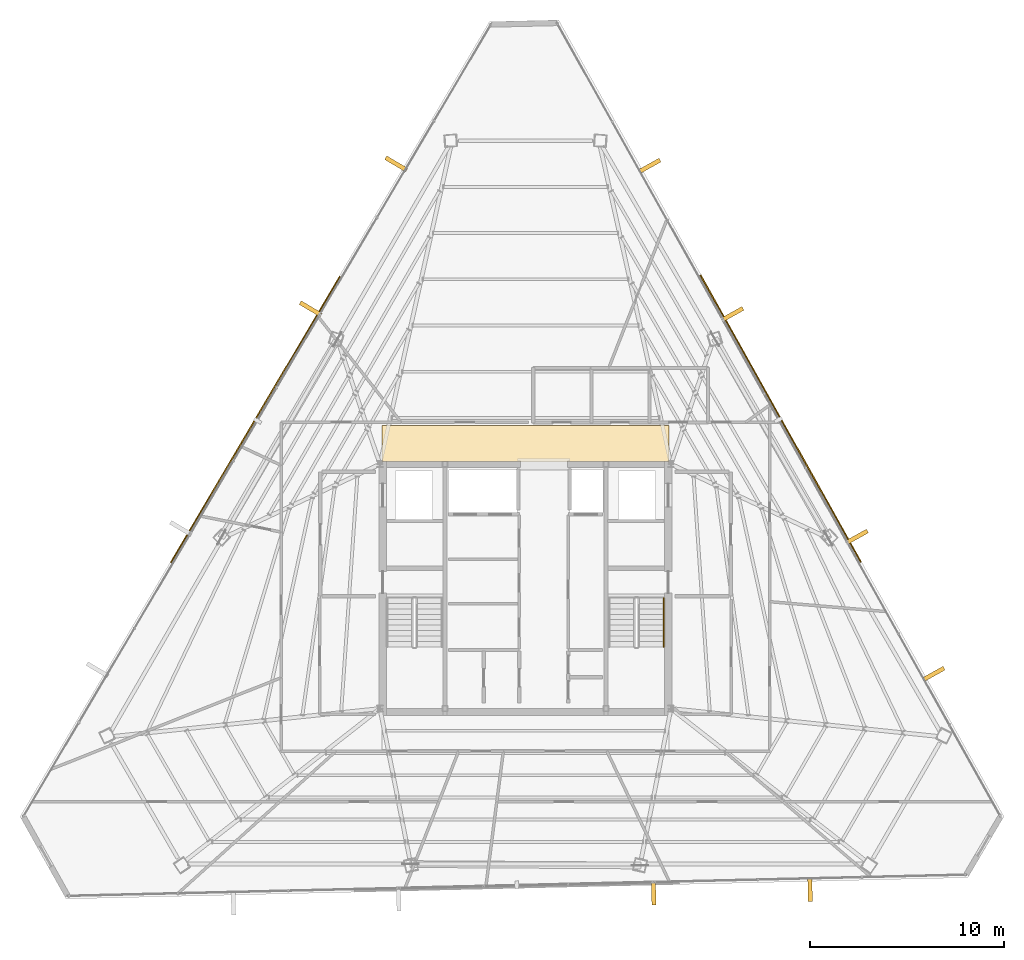
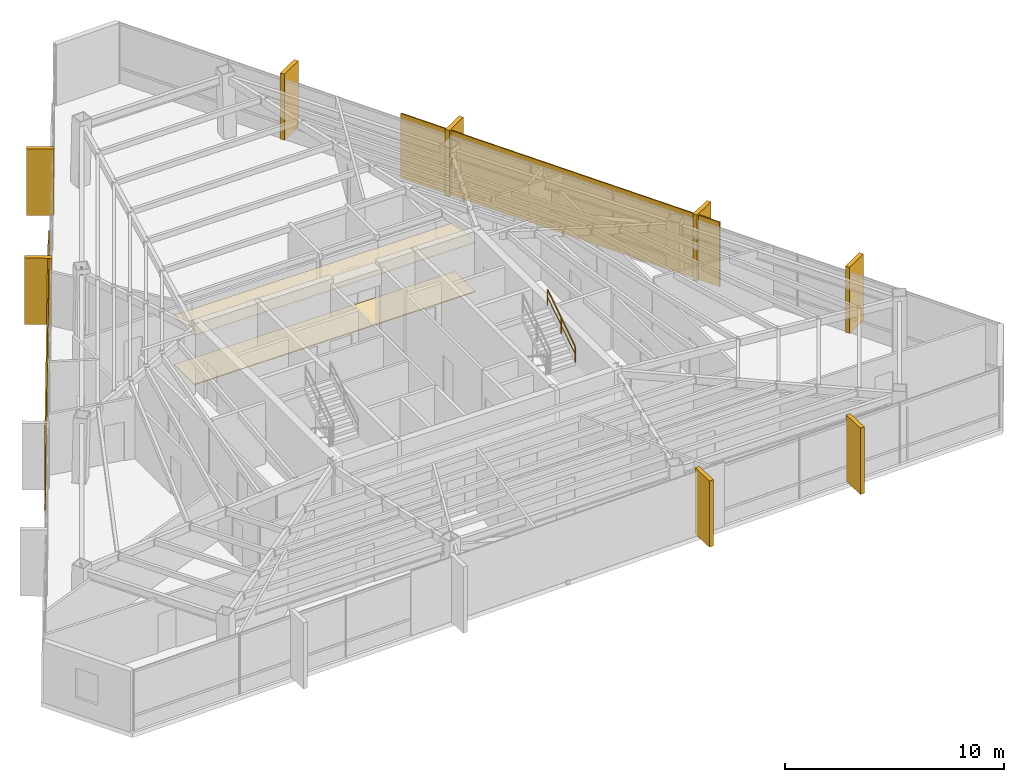
# One storey, part 47 of 47: 10 coverings, 2 shading devices, 1 railing.
"""IFC4 building model written with IfcOpenShell, lengths in metres."""

from ifc_helpers import new_model, si_unit, direction, frame, origin, origin_2d, place, context, subcontext, project, spatial, polyline, rectangle, outline, extrude, source, transform, mapped, material, layer, layer_set, type_object, type_shapes, element, save


model = new_model("IFC4")

# Units and contexts
model_context = context("Model", 3, precision=1e-05, world=origin(), true_north=direction((0.0, 1.0)))
body_context = subcontext(model_context, "Body", "Model", "MODEL_VIEW")
ifc_project = project(units=[si_unit("LENGTHUNIT", "METRE"), si_unit("AREAUNIT", "SQUARE_METRE"), si_unit("VOLUMEUNIT", "CUBIC_METRE"), si_unit("PLANEANGLEUNIT", "RADIAN"), si_unit("MASSUNIT", "GRAM", prefix="KILO")], contexts=[model_context])

# Site, building, storey
site_placement = place(None, origin())
site = spatial("IfcSite", under=ifc_project, at=site_placement, CompositionType="ELEMENT")
building_placement = place(site_placement, origin())
building = spatial("IfcBuilding", under=site, at=building_placement, Name="Caelisora Broadcast Tower", CompositionType="ELEMENT")
storey_placement = place(building_placement, frame((0.0, 0.0, 255.39990234375)))
storey = spatial("IfcBuildingStorey", under=building, at=storey_placement, Name="L67", CompositionType="ELEMENT", Elevation=255.39990234375)

# Coverings
ifc_material_1 = material(Name="Perforated Mineral-Fibre Acoustic Ceiling Tile", Category="gypsum")
ifc_layer_1 = layer(ifc_material_1, 0.034912109375, Name="Perforated Mineral-Fibre Acoustic Ceiling Tile")
ifc_layer_set_1 = layer_set([ifc_layer_1], Name="Perforated Mineral-Fibre Acoustic Ceiling Tile")
covering_type_1 = type_object("IfcCoveringType", Name="CE-1", PredefinedType="CEILING", material=ifc_layer_set_1)
covering_1_placement = place(storey_placement, frame((0.0, 0.0, 2.75)))
element("IfcCovering", 1, at=covering_1_placement, inside=storey, type_object=covering_type_1, Name="L67 acoustic corridor ceiling CE-1 (N)", PredefinedType="CEILING", context=body_context, shape_type="SweptSolid", body=[
    extrude(outline(polyline([(30.60009765625, 30.14990234375), (45.39990234375, 30.14990234375), (45.39990234375, 32.0), (30.60009765625, 32.0), (30.60009765625, 30.14990234375)])), origin(), (0.0, 0.0, 1.0), 0.03515625),
])
ifc_material_2 = material(Name="Anti-Static Broadcast Raised Access Floor Panel", Category="steel")
ifc_layer_2 = layer(ifc_material_2, 0.044921875, Name="Anti-Static Broadcast Raised Access Floor Panel")
ifc_layer_set_2 = layer_set([ifc_layer_2], Name="Anti-Static Broadcast Raised Access Floor Panel")
covering_type_2 = type_object("IfcCoveringType", Name="FL-1", PredefinedType="FLOORING", material=ifc_layer_set_2)
covering_2_placement = place(storey_placement, origin())
element("IfcCovering", 2, at=covering_2_placement, inside=storey, type_object=covering_type_2, Name="L67 broadcast raised access floor FL-1 (N)", PredefinedType="FLOORING", context=body_context, shape_type="SweptSolid", body=[
    extrude(outline(polyline([(30.60009765625, 30.14990234375), (45.39990234375, 30.14990234375), (45.39990234375, 32.0), (30.60009765625, 32.0), (30.60009765625, 30.14990234375)])), origin(), (0.0, 0.0, 1.0), 0.045166015625),
])

# Railing
ifc_material_3 = material(Name="Stainless Steel Grade 316 Tubular Handrail", Category="steel")
ifc_layer_3 = layer(ifc_material_3, 0.048095703125, Name="Stainless Steel Grade 316 Tubular Handrail")
ifc_layer_set_3 = layer_set([ifc_layer_3], Name="Stainless Steel Grade 316 Tubular Handrail")
railing_type = type_object("IfcRailingType", Name="HR-1", PredefinedType="HANDRAIL", material=ifc_layer_set_3)
railing_placement = place(storey_placement, frame((45.1298828125, 20.580078125, 2.007568359375)))
element("IfcRailing", 3, at=railing_placement, inside=storey, type_object=railing_type, Name="L67 ST-2 stair handrail 2", PredefinedType="HANDRAIL", context=body_context, shape_type="SweptSolid", body=[
    extrude(rectangle(XDim=0.048095703125, YDim=0.048095703125, at=origin_2d()), frame((0.0, 0.0, 0.8759765625), z_axis=(0.0, 0.837749427056, 0.546054848405), x_axis=(-1.0, 0.0, 0.0)), (0.0, 0.0, 1.0), 3.008056640625),
    extrude(rectangle(XDim=0.03125, YDim=0.03125, at=origin_2d()), frame((0.0, 0.0, 0.449951171875), z_axis=(0.0, 0.837749427056, 0.546054848405), x_axis=(-1.0, 0.0, 0.0)), (0.0, 0.0, 1.0), 3.008056640625),
    extrude(rectangle(XDim=0.0419921875, YDim=0.0419921875, at=origin_2d()), origin(), (0.0, 0.0, 1.0), 0.851806640625),
    extrude(rectangle(XDim=0.0419921875, YDim=0.0419921875, at=origin_2d()), frame((0.0, 1.260009765625, 0.8212890625)), (0.0, 0.0, 1.0), 0.851806640625),
    extrude(rectangle(XDim=0.0419921875, YDim=0.0419921875, at=origin_2d()), frame((0.0, 2.52001953125, 1.642578125)), (0.0, 0.0, 1.0), 0.851806640625),
])

# Coverings
ifc_material_4 = material(Name="Kiln-Fired Terracotta Spandrel Rainscreen Cladding", Category="ceramic")
ifc_layer_4 = layer(ifc_material_4, 0.044921875, Name="Kiln-Fired Terracotta Spandrel Rainscreen Cladding")
ifc_layer_set_4 = layer_set([ifc_layer_4], Name="Kiln-Fired Terracotta Spandrel Rainscreen Cladding")
covering_type_3 = type_object("IfcCoveringType", Name="CL-1", PredefinedType="CLADDING", material=ifc_layer_set_4)
shared_shape_1 = source(origin(), body_context, "Body", "SweptSolid", [
    extrude(rectangle(XDim=0.219970703125, YDim=1.25, at=origin_2d()), origin(), (0.0, 0.0, 1.0), 3.68994140625),
])
type_shapes(covering_type_3, [shared_shape_1])
for number, where, z_axis, x_axis, name in (
    (4, (44.390625, 45.37255859375, -0.019775390625), (0.0, 0.0, 1.0), (0.488012005351, -0.872836916401, 0.0), "L67 vertical solar fin cladding #1-1"),
    (5, (48.66455078125, 37.72705078125, -0.019775390625), (0.0, 0.0, 1.0), (0.488012005351, -0.872836916401, 0.0), "L67 vertical solar fin cladding #1-2"),
    (6, (55.08056640625, 26.24951171875, -0.019775390625), (0.0, 0.0, 1.0), (0.488012005351, -0.872836916401, 0.0), "L67 vertical solar fin cladding #1-3"),
    (7, (59.0322265625, 19.180419921875, -0.019775390625), (0.0, 0.0, 1.0), (0.488012005351, -0.872836916401, 0.0), "L67 vertical solar fin cladding #1-4"),
    (8, (52.6708984375, 8.080810546875, -0.019775390625), (0.0, 0.0, 1.0), (-0.999722430218, -0.023559764834, 0.0), "L67 vertical solar fin cladding #2-1"),
    (9, (44.60888671875, 7.890380859375, -0.019775390625), (0.0, 0.0, 1.0), (-0.999722430218, -0.023559764834, 0.0), "L67 vertical solar fin cladding #2-2"),
    (10, (26.922607421875, 38.009521484375, -0.019775390625), (0.0, 0.0, 1.0), (0.508440380454, 0.861097195167, 0.0), "L67 vertical solar fin cladding #3-3"),
    (11, (31.333251953125, 45.47900390625, -0.019775390625), (0.0, 0.0, 1.0), (0.508440380454, 0.861097195167, 0.0), "L67 vertical solar fin cladding #3-4"),
):
    element("IfcCovering", number, at=place(storey_placement, frame(where, z_axis=z_axis, x_axis=x_axis)), inside=storey, type_object=covering_type_3, Name=name, PredefinedType="CLADDING", context=body_context, shape_type="MappedRepresentation", body=[
        mapped(shared_shape_1, transform((0.0, 0.0, 0.0), scale=1.0)),
    ])

# Shading devices
ifc_material_5 = material(Name="Perforated Glazed Terracotta Baguette Solar Screen", Category="ceramic")
ifc_layer_5 = layer(ifc_material_5, 0.06494140625, Name="Perforated Glazed Terracotta Baguette Solar Screen")
ifc_layer_set_5 = layer_set([ifc_layer_5], Name="Perforated Glazed Terracotta Baguette Solar Screen")
shading_device_type = type_object("IfcShadingDeviceType", Name="SS-1", PredefinedType="USERDEFINED", material=ifc_layer_set_5)
shared_shape_2 = source(origin(), body_context, "Body", "SweptSolid", [
    extrude(rectangle(XDim=17.133056640625, YDim=0.06494140625, at=origin_2d()), origin(), (0.0, 0.0, 1.0), 3.590087890625),
])
shading_device_1_placement = place(storey_placement, frame((24.074951171875, 32.3017578125, 0.0), z_axis=(0.0, 0.0, 1.0), x_axis=(-0.508440380454, -0.861097195167, 0.0)))
element("IfcShadingDevice", 12, at=shading_device_1_placement, inside=storey, type_object=shading_device_type, Name="L67 perforated terracotta solar screen #1", ObjectType="SOLAR SCREEN", PredefinedType="USERDEFINED", context=body_context, shape_type="MappedRepresentation", body=[
    mapped(shared_shape_2, transform((0.0, 0.0, 0.0), scale=1.0)),
])
shared_shape_3 = source(origin(), body_context, "Body", "SweptSolid", [
    extrude(rectangle(XDim=16.93505859375, YDim=0.06494140625, at=origin_2d()), origin(), (0.0, 0.0, 1.0), 3.590087890625),
])
type_shapes(shading_device_type, [shared_shape_2, shared_shape_3])
shading_device_2_placement = place(storey_placement, frame((51.156494140625, 32.346923828125, 0.0), z_axis=(0.0, 0.0, 1.0), x_axis=(-0.488012005351, 0.872836916401, 0.0)))
element("IfcShadingDevice", 13, at=shading_device_2_placement, inside=storey, type_object=shading_device_type, Name="L67 perforated terracotta solar screen #3", ObjectType="SOLAR SCREEN", PredefinedType="USERDEFINED", context=body_context, shape_type="MappedRepresentation", body=[
    mapped(shared_shape_3, transform((0.0, 0.0, 0.0), scale=1.0)),
])

save(model, "model.ifc")
